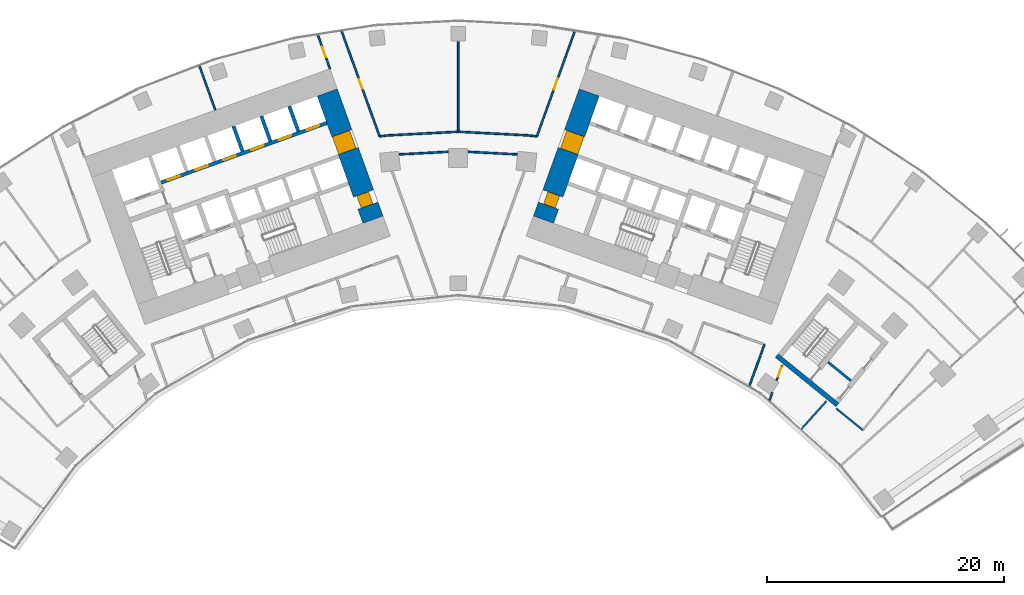
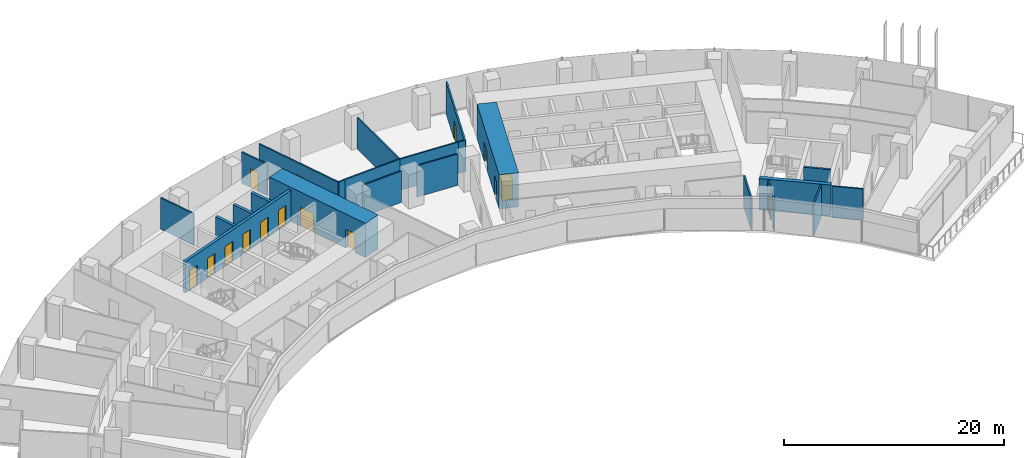
# One storey, part 16 of 21: 24 walls, 14 doors, 14 openings.
"""IFC4 building model written with IfcOpenShell, lengths in metres."""

from ifc_helpers import new_model, si_unit, direction, frame, frame_2d, origin, place, context, subcontext, project, spatial, rectangle, extrude, material, layer, layer_set, type_object, element, fill, save


model = new_model("IFC4")

# Units and contexts
model_context = context("Model", 3, precision=1e-05, world=origin(), true_north=direction((0.0, 1.0)))
body_context = subcontext(model_context, "Body", "Model", "MODEL_VIEW")
ifc_project = project(units=[si_unit("LENGTHUNIT", "METRE"), si_unit("AREAUNIT", "SQUARE_METRE"), si_unit("VOLUMEUNIT", "CUBIC_METRE"), si_unit("PLANEANGLEUNIT", "RADIAN"), si_unit("MASSUNIT", "GRAM", prefix="KILO")], contexts=[model_context])

# Site, building, storey
site_placement = place(None, origin())
site = spatial("IfcSite", under=ifc_project, at=site_placement, CompositionType="ELEMENT")
building_placement = place(site_placement, origin())
building = spatial("IfcBuilding", under=site, at=building_placement, Name="Stone Belt Terrace Tower", CompositionType="ELEMENT")
storey_placement = place(building_placement, frame((0.0, 0.0, 56.60009765625)))
storey = spatial("IfcBuildingStorey", under=building, at=storey_placement, Name="L13", CompositionType="ELEMENT", Elevation=56.60009765625)

# Wall, openings, doors
ifc_material_1 = material(Name="Concrete B80", Category="concrete")
ifc_layer_1 = layer(ifc_material_1, 1.800048828125)
ifc_layer_set_1 = layer_set([ifc_layer_1], Name="Core wall 1800 B80")
wall_type_1 = type_object("IfcWallType", Name="Core wall 1800 B80", PredefinedType="SHEAR", material=ifc_layer_set_1)
wall_1_placement = place(storey_placement, frame((-7.19091796875, 49.8076171875, 0.0), z_axis=(0.0, 0.0, 1.0), x_axis=(-0.338632255135, 0.940918804033, 0.0)))
wall_1 = element("IfcWall", 1, at=wall_1_placement, inside=storey, type_object=wall_type_1, Name="Core A wall end_b L13", PredefinedType="SHEAR", context=body_context, shape_type="SweptSolid", body=[
    extrude(rectangle(XDim=11.39990234375, YDim=1.800048828125, at=frame_2d((5.699951171875, 0.0))), origin(), (0.0, 0.0, 1.0), 3.7998046875),
])
opening_1_placement = place(wall_1_placement, frame((6.14990234375, 0.0, 0.0)))
opening_1 = element("IfcOpeningElement", 2, at=opening_1_placement, cuts=wall_1, Name="Opening L13-C02", PredefinedType="OPENING", context=body_context, shape_type="SweptSolid", body=[
    extrude(rectangle(XDim=1.60009765625, YDim=2.10009765625, at=frame_2d((0.800048828125, 1.050048828125))), frame((0.0, 0.909912109375, 0.0), z_axis=(0.0, -1.0, 0.0), x_axis=(1.0, 0.0, 0.0)), (0.0, 0.0, 1.0), 1.820068359375),
])
opening_2_placement = place(wall_1_placement, frame((1.25, 0.0, 0.0)))
opening_2 = element("IfcOpeningElement", 3, at=opening_2_placement, cuts=wall_1, Name="Opening L13-C08", PredefinedType="OPENING", context=body_context, shape_type="SweptSolid", body=[
    extrude(rectangle(XDim=1.10009765625, YDim=2.10009765625, at=frame_2d((0.550048828125, 1.050048828125))), frame((0.0, 0.909912109375, 0.0), z_axis=(0.0, -1.0, 0.0), x_axis=(1.0, 0.0, 0.0)), (0.0, 0.0, 1.0), 1.820068359375),
])
ifc_material_2 = material(Name="Timber door leaf", Category="wood")
door_type_1 = type_object("IfcDoorType", Name="Core room door 1100", OperationType="SINGLE_SWING_LEFT", PredefinedType="DOOR", material=ifc_material_2)
door_1_placement = place(opening_2_placement, origin())
door_1 = element("IfcDoor", 4, at=door_1_placement, inside=storey, type_object=door_type_1, Name="Door to Electrical riser room core A", OperationType="SINGLE_SWING_LEFT", OverallHeight=2.10009765625, OverallWidth=1.10009765625, PredefinedType="DOOR", context=body_context, shape_type="SweptSolid", body=[
    extrude(rectangle(XDim=1.10009765625, YDim=2.10009765625, at=frame_2d((0.550048828125, 1.050048828125))), frame((0.0, 0.60498046875, 0.0), z_axis=(0.0, -1.0, 0.0), x_axis=(1.0, 0.0, 0.0)), (0.0, 0.0, 1.0), 1.050048828125),
])
fill(opening_2, door_1)
ifc_material_3 = material(Name="Glazed aluminium door leaf", Category="aluminium")
door_type_2 = type_object("IfcDoorType", Name="Lift lobby entrance door 1600", OperationType="DOUBLE_DOOR_SINGLE_SWING", PredefinedType="DOOR", material=ifc_material_3)
door_2_placement = place(opening_1_placement, origin())
door_2 = element("IfcDoor", 5, at=door_2_placement, inside=storey, type_object=door_type_2, Name="Lift lobby entrance door core A", OperationType="DOUBLE_DOOR_SINGLE_SWING", OverallHeight=2.10009765625, OverallWidth=1.60009765625, PredefinedType="DOOR", context=body_context, shape_type="SweptSolid", body=[
    extrude(rectangle(XDim=1.60009765625, YDim=2.10009765625, at=frame_2d((0.800048828125, 1.050048828125))), frame((0.0, 0.85498046875, 0.0), z_axis=(0.0, -1.0, 0.0), x_axis=(1.0, 0.0, 0.0)), (0.0, 0.0, 1.0), 1.550048828125),
])
fill(opening_1, door_2)

wall_2_placement = place(storey_placement, frame((7.19091796875, 49.8076171875, 0.0), z_axis=(0.0, 0.0, 1.0), x_axis=(0.338632255135, 0.940918804033, 0.0)))
wall_2 = element("IfcWall", 6, at=wall_2_placement, inside=storey, type_object=wall_type_1, Name="Core B wall end_a L13", PredefinedType="SHEAR", context=body_context, shape_type="SweptSolid", body=[
    extrude(rectangle(XDim=11.39990234375, YDim=1.800048828125, at=frame_2d((5.699951171875, 0.0))), origin(), (0.0, 0.0, 1.0), 3.7998046875),
])
opening_3_placement = place(wall_2_placement, frame((6.14990234375, 0.0, 0.0)))
opening_3 = element("IfcOpeningElement", 7, at=opening_3_placement, cuts=wall_2, Name="Opening L13-C10", PredefinedType="OPENING", context=body_context, shape_type="SweptSolid", body=[
    extrude(rectangle(XDim=1.60009765625, YDim=2.10009765625, at=frame_2d((0.800048828125, 1.050048828125))), frame((0.0, 0.909912109375, 0.0), z_axis=(0.0, -1.0, 0.0), x_axis=(1.0, 0.0, 0.0)), (0.0, 0.0, 1.0), 1.820068359375),
])
opening_4_placement = place(wall_2_placement, frame((1.25, 0.0, 0.0)))
opening_4 = element("IfcOpeningElement", 8, at=opening_4_placement, cuts=wall_2, Name="Opening L13-C16", PredefinedType="OPENING", context=body_context, shape_type="SweptSolid", body=[
    extrude(rectangle(XDim=1.10009765625, YDim=2.10009765625, at=frame_2d((0.550048828125, 1.050048828125))), frame((0.0, 0.909912109375, 0.0), z_axis=(0.0, -1.0, 0.0), x_axis=(1.0, 0.0, 0.0)), (0.0, 0.0, 1.0), 1.820068359375),
])
door_3_placement = place(opening_4_placement, origin())
door_3 = element("IfcDoor", 9, at=door_3_placement, inside=storey, type_object=door_type_1, Name="Door to Electrical riser room core B", OperationType="SINGLE_SWING_RIGHT", OverallHeight=2.10009765625, OverallWidth=1.10009765625, PredefinedType="DOOR", context=body_context, shape_type="SweptSolid", body=[
    extrude(rectangle(XDim=1.10009765625, YDim=2.10009765625, at=frame_2d((0.550048828125, 1.050048828125))), frame((0.0, 0.44482421875, 0.0), z_axis=(0.0, -1.0, 0.0), x_axis=(1.0, 0.0, 0.0)), (0.0, 0.0, 1.0), 1.050048828125),
])
fill(opening_4, door_3)
door_4_placement = place(opening_3_placement, origin())
door_4 = element("IfcDoor", 10, at=door_4_placement, inside=storey, type_object=door_type_2, Name="Lift lobby entrance door core B", OperationType="DOUBLE_DOOR_SINGLE_SWING", OverallHeight=2.10009765625, OverallWidth=1.60009765625, PredefinedType="DOOR", context=body_context, shape_type="SweptSolid", body=[
    extrude(rectangle(XDim=1.60009765625, YDim=2.10009765625, at=frame_2d((0.800048828125, 1.050048828125))), frame((0.0, 0.69482421875, 0.0), z_axis=(0.0, -1.0, 0.0), x_axis=(1.0, 0.0, 0.0)), (0.0, 0.0, 1.0), 1.550048828125),
])
fill(opening_3, door_4)

ifc_layer_2 = layer(ifc_material_1, 0.300048828125)
ifc_layer_set_2 = layer_set([ifc_layer_2], Name="Lift shaft wall 300")
wall_type_2 = type_object("IfcWallType", Name="Lift shaft wall 300", PredefinedType="SHEAR", material=ifc_layer_set_2)
wall_3_placement = place(storey_placement, frame((-25.05810546875, 52.9423828125, 0.0), z_axis=(0.0, 0.0, 1.0), x_axis=(0.940918215764, 0.338633889685, 0.0)))
wall_3 = element("IfcWall", 11, at=wall_3_placement, inside=storey, type_object=wall_type_2, Name="Core A wall", PredefinedType="SHEAR", context=body_context, shape_type="SweptSolid", body=[
    extrude(rectangle(XDim=14.850341796875, YDim=0.300048828125, at=frame_2d((7.42529296875, 0.0))), origin(), (0.0, 0.0, 1.0), 3.47998046875),
])
opening_5_placement = place(wall_3_placement, frame((0.570068359375, 0.0, 0.0)))
opening_5 = element("IfcOpeningElement", 12, at=opening_5_placement, cuts=wall_3, Name="Opening L13-LD01", PredefinedType="OPENING", context=body_context, shape_type="SweptSolid", body=[
    extrude(rectangle(XDim=1.10009765625, YDim=2.199951171875, at=frame_2d((0.550048828125, 1.10009765625))), frame((0.0, 0.159912109375, 0.0), z_axis=(0.0, -1.0, 0.0), x_axis=(1.0, 0.0, 0.0)), (0.0, 0.0, 1.0), 0.320068359375),
])
opening_6_placement = place(wall_3_placement, frame((3.070068359375, 0.0, 0.0)))
opening_6 = element("IfcOpeningElement", 13, at=opening_6_placement, cuts=wall_3, Name="Opening L13-LD02", PredefinedType="OPENING", context=body_context, shape_type="SweptSolid", body=[
    extrude(rectangle(XDim=1.10009765625, YDim=2.199951171875, at=frame_2d((0.550048828125, 1.10009765625))), frame((0.0, 0.159912109375, 0.0), z_axis=(0.0, -1.0, 0.0), x_axis=(1.0, 0.0, 0.0)), (0.0, 0.0, 1.0), 0.320068359375),
])
opening_7_placement = place(wall_3_placement, frame((5.570068359375, 0.0, 0.0)))
opening_7 = element("IfcOpeningElement", 14, at=opening_7_placement, cuts=wall_3, Name="Opening L13-LD03", PredefinedType="OPENING", context=body_context, shape_type="SweptSolid", body=[
    extrude(rectangle(XDim=1.10009765625, YDim=2.199951171875, at=frame_2d((0.550048828125, 1.10009765625))), frame((0.0, 0.159912109375, 0.0), z_axis=(0.0, -1.0, 0.0), x_axis=(1.0, 0.0, 0.0)), (0.0, 0.0, 1.0), 0.320068359375),
])
opening_8_placement = place(wall_3_placement, frame((8.070068359375, 0.0, 0.0)))
opening_8 = element("IfcOpeningElement", 15, at=opening_8_placement, cuts=wall_3, Name="Opening L13-LD04", PredefinedType="OPENING", context=body_context, shape_type="SweptSolid", body=[
    extrude(rectangle(XDim=1.10009765625, YDim=2.199951171875, at=frame_2d((0.550048828125, 1.10009765625))), frame((0.0, 0.159912109375, 0.0), z_axis=(0.0, -1.0, 0.0), x_axis=(1.0, 0.0, 0.0)), (0.0, 0.0, 1.0), 0.320068359375),
])
opening_9_placement = place(wall_3_placement, frame((10.570068359375, 0.0, 0.0)))
opening_9 = element("IfcOpeningElement", 16, at=opening_9_placement, cuts=wall_3, Name="Opening L13-LD05", PredefinedType="OPENING", context=body_context, shape_type="SweptSolid", body=[
    extrude(rectangle(XDim=1.10009765625, YDim=2.199951171875, at=frame_2d((0.550048828125, 1.10009765625))), frame((0.0, 0.159912109375, 0.0), z_axis=(0.0, -1.0, 0.0), x_axis=(1.0, 0.0, 0.0)), (0.0, 0.0, 1.0), 0.320068359375),
])
opening_10_placement = place(wall_3_placement, frame((13.070068359375, 0.0, 0.0)))
opening_10 = element("IfcOpeningElement", 17, at=opening_10_placement, cuts=wall_3, Name="Opening L13-LD06", PredefinedType="OPENING", context=body_context, shape_type="SweptSolid", body=[
    extrude(rectangle(XDim=1.10009765625, YDim=2.199951171875, at=frame_2d((0.550048828125, 1.10009765625))), frame((0.0, 0.159912109375, 0.0), z_axis=(0.0, -1.0, 0.0), x_axis=(1.0, 0.0, 0.0)), (0.0, 0.0, 1.0), 0.320068359375),
])
ifc_material_4 = material(Name="Stainless steel door leaf", Category="steel")
door_type_3 = type_object("IfcDoorType", Name="Landing door 1100", OperationType="SLIDING_TO_LEFT", PredefinedType="DOOR", material=ifc_material_4)
door_5_placement = place(opening_5_placement, origin())
door_5 = element("IfcDoor", 18, at=door_5_placement, inside=storey, type_object=door_type_3, Name="Landing door LR1 core A", OperationType="SLIDING_TO_LEFT", OverallHeight=2.199951171875, OverallWidth=1.10009765625, PredefinedType="DOOR", context=body_context, shape_type="SweptSolid", body=[
    extrude(rectangle(XDim=1.10009765625, YDim=2.199951171875, at=frame_2d((0.550048828125, 1.10009765625))), frame((0.0, 0.02490234375, 0.0), z_axis=(0.0, -1.0, 0.0), x_axis=(1.0, 0.0, 0.0)), (0.0, 0.0, 1.0), 0.050048828125),
])
fill(opening_5, door_5)
door_6_placement = place(opening_6_placement, origin())
door_6 = element("IfcDoor", 19, at=door_6_placement, inside=storey, type_object=door_type_3, Name="Landing door LR2 core A", OperationType="SLIDING_TO_LEFT", OverallHeight=2.199951171875, OverallWidth=1.10009765625, PredefinedType="DOOR", context=body_context, shape_type="SweptSolid", body=[
    extrude(rectangle(XDim=1.10009765625, YDim=2.199951171875, at=frame_2d((0.550048828125, 1.10009765625))), frame((0.0, 0.02490234375, 0.0), z_axis=(0.0, -1.0, 0.0), x_axis=(1.0, 0.0, 0.0)), (0.0, 0.0, 1.0), 0.050048828125),
])
fill(opening_6, door_6)
door_7_placement = place(opening_7_placement, origin())
door_7 = element("IfcDoor", 20, at=door_7_placement, inside=storey, type_object=door_type_3, Name="Landing door LR3 core A", OperationType="SLIDING_TO_LEFT", OverallHeight=2.199951171875, OverallWidth=1.10009765625, PredefinedType="DOOR", context=body_context, shape_type="SweptSolid", body=[
    extrude(rectangle(XDim=1.10009765625, YDim=2.199951171875, at=frame_2d((0.550048828125, 1.10009765625))), frame((0.0, 0.02490234375, 0.0), z_axis=(0.0, -1.0, 0.0), x_axis=(1.0, 0.0, 0.0)), (0.0, 0.0, 1.0), 0.050048828125),
])
fill(opening_7, door_7)
door_8_placement = place(opening_8_placement, origin())
door_8 = element("IfcDoor", 21, at=door_8_placement, inside=storey, type_object=door_type_3, Name="Landing door LR4 core A", OperationType="SLIDING_TO_LEFT", OverallHeight=2.199951171875, OverallWidth=1.10009765625, PredefinedType="DOOR", context=body_context, shape_type="SweptSolid", body=[
    extrude(rectangle(XDim=1.10009765625, YDim=2.199951171875, at=frame_2d((0.550048828125, 1.10009765625))), frame((0.0, 0.02490234375, 0.0), z_axis=(0.0, -1.0, 0.0), x_axis=(1.0, 0.0, 0.0)), (0.0, 0.0, 1.0), 0.050048828125),
])
fill(opening_8, door_8)
door_9_placement = place(opening_9_placement, origin())
door_9 = element("IfcDoor", 22, at=door_9_placement, inside=storey, type_object=door_type_3, Name="Landing door LR5 core A", OperationType="SLIDING_TO_LEFT", OverallHeight=2.199951171875, OverallWidth=1.10009765625, PredefinedType="DOOR", context=body_context, shape_type="SweptSolid", body=[
    extrude(rectangle(XDim=1.10009765625, YDim=2.199951171875, at=frame_2d((0.550048828125, 1.10009765625))), frame((0.0, 0.02490234375, 0.0), z_axis=(0.0, -1.0, 0.0), x_axis=(1.0, 0.0, 0.0)), (0.0, 0.0, 1.0), 0.050048828125),
])
fill(opening_9, door_9)
door_10_placement = place(opening_10_placement, origin())
door_10 = element("IfcDoor", 23, at=door_10_placement, inside=storey, type_object=door_type_3, Name="Landing door LR6 core A", OperationType="SLIDING_TO_LEFT", OverallHeight=2.199951171875, OverallWidth=1.10009765625, PredefinedType="DOOR", context=body_context, shape_type="SweptSolid", body=[
    extrude(rectangle(XDim=1.10009765625, YDim=2.199951171875, at=frame_2d((0.550048828125, 1.10009765625))), frame((0.0, 0.02490234375, 0.0), z_axis=(0.0, -1.0, 0.0), x_axis=(1.0, 0.0, 0.0)), (0.0, 0.0, 1.0), 0.050048828125),
])
fill(opening_10, door_10)

# Walls
wall_4_placement = place(storey_placement, frame((-18.193115234375, 55.572509765625, 0.0), z_axis=(0.0, 0.0, 1.0), x_axis=(-0.338535034312, 0.940953787677, 0.0)))
element("IfcWall", 24, at=wall_4_placement, inside=storey, type_object=wall_type_2, Name="Core A wall", PredefinedType="SHEAR", context=body_context, shape_type="SweptSolid", body=[
    extrude(rectangle(XDim=2.25, YDim=0.300048828125, at=frame_2d((1.125, 0.0))), origin(), (0.0, 0.0, 1.0), 3.47998046875),
])
wall_5_placement = place(storey_placement, frame((-15.8408203125, 56.419189453125, 0.0), z_axis=(0.0, 0.0, 1.0), x_axis=(-0.338569601369, 0.940941350472, 0.0)))
element("IfcWall", 25, at=wall_5_placement, inside=storey, type_object=wall_type_2, Name="Core A wall", PredefinedType="SHEAR", context=body_context, shape_type="SweptSolid", body=[
    extrude(rectangle(XDim=2.249755859375, YDim=0.300048828125, at=frame_2d((1.125, 0.0))), origin(), (0.0, 0.0, 1.0), 3.47998046875),
])
wall_6_placement = place(storey_placement, frame((-13.48828125, 57.265625, 0.0), z_axis=(0.0, 0.0, 1.0), x_axis=(-0.338631098537, 0.940919220286, 0.0)))
element("IfcWall", 26, at=wall_6_placement, inside=storey, type_object=wall_type_2, Name="Core A wall", PredefinedType="SHEAR", context=body_context, shape_type="SweptSolid", body=[
    extrude(rectangle(XDim=2.250244140625, YDim=0.300048828125, at=frame_2d((1.125, 0.0))), origin(), (0.0, 0.0, 1.0), 3.47998046875),
])

# Wall, opening, door
ifc_material_5 = material(Name="Gypsum board partition")
ifc_layer_3 = layer(ifc_material_5, 0.14990234375)
ifc_layer_set_3 = layer_set([ifc_layer_3], Name="PARTITION 150 EI 60")
wall_type_3 = type_object("IfcWallType", Name="PARTITION 150 EI 60", PredefinedType="PARTITIONING", material=ifc_layer_set_3)
wall_7_placement = place(storey_placement, frame((-10.81396484375, 62.531982421875, 0.0), z_axis=(0.0, 0.0, 1.0), x_axis=(-0.338526810165, 0.940956746508, 0.0)))
wall_7 = element("IfcWall", 27, at=wall_7_placement, inside=storey, type_object=wall_type_3, Name="L13/wall/i008", PredefinedType="PARTITIONING", context=body_context, shape_type="SweptSolid", body=[
    extrude(rectangle(XDim=3.006591796875, YDim=0.14990234375, at=frame_2d((1.50341796875, 0.0))), origin(), (0.0, 0.0, 1.0), 3.47998046875),
])
opening_11_placement = place(wall_7_placement, frame((1.05322265625, 0.0, 0.0)))
opening_11 = element("IfcOpeningElement", 28, at=opening_11_placement, cuts=wall_7, Name="Opening D-A4-06", PredefinedType="OPENING", context=body_context, shape_type="SweptSolid", body=[
    extrude(rectangle(XDim=0.89990234375, YDim=2.10009765625, at=frame_2d((0.449951171875, 1.050048828125))), frame((0.0, 0.0849609375, 0.0), z_axis=(0.0, -1.0, 0.0), x_axis=(1.0, 0.0, 0.0)), (0.0, 0.0, 1.0), 0.169921875),
])
door_type_4 = type_object("IfcDoorType", Name="OFFICE DOOR 900 X 2100", OperationType="NOTDEFINED", PredefinedType="DOOR", material=ifc_material_2)
door_11_placement = place(opening_11_placement, origin())
door_11 = element("IfcDoor", 29, at=door_11_placement, inside=storey, type_object=door_type_4, Name="L13/door/i06", OperationType="SINGLE_SWING_RIGHT", OverallHeight=2.10009765625, OverallWidth=0.89990234375, PredefinedType="DOOR", context=body_context, shape_type="SweptSolid", body=[
    extrude(rectangle(XDim=0.89990234375, YDim=2.10009765625, at=frame_2d((0.449951171875, 1.050048828125))), frame((0.0, 0.02490234375, 0.0), z_axis=(0.0, -1.0, 0.0), x_axis=(1.0, 0.0, 0.0)), (0.0, 0.0, 1.0), 0.050048828125),
])
fill(opening_11, door_11)

wall_8_placement = place(storey_placement, frame((-9.8212890625, 65.68115234375, 0.0), z_axis=(0.0, 0.0, 1.0), x_axis=(0.338561511742, -0.940944261243, 0.0)))
wall_8 = element("IfcWall", 30, at=wall_8_placement, inside=storey, type_object=wall_type_3, Name="L13/wall/i010", PredefinedType="PARTITIONING", context=body_context, shape_type="SweptSolid", body=[
    extrude(rectangle(XDim=9.4140625, YDim=0.14990234375, at=frame_2d((4.70703125, 0.0))), origin(), (0.0, 0.0, 1.0), 3.47998046875),
])
opening_12_placement = place(wall_8_placement, frame((4.30712890625, 0.0, 0.0)))
opening_12 = element("IfcOpeningElement", 31, at=opening_12_placement, cuts=wall_8, Name="Opening D-A4-29", PredefinedType="OPENING", context=body_context, shape_type="SweptSolid", body=[
    extrude(rectangle(XDim=0.800048828125, YDim=2.10009765625, at=frame_2d((0.39990234375, 1.050048828125))), frame((0.0, 0.0849609375, 0.0), z_axis=(0.0, -1.0, 0.0), x_axis=(1.0, 0.0, 0.0)), (0.0, 0.0, 1.0), 0.169921875),
])
door_type_5 = type_object("IfcDoorType", Name="STORE DOOR 800 X 2100", OperationType="NOTDEFINED", PredefinedType="DOOR", material=ifc_material_2)
door_12_placement = place(opening_12_placement, origin())
door_12 = element("IfcDoor", 32, at=door_12_placement, inside=storey, type_object=door_type_5, Name="L13/door/i29", OperationType="SINGLE_SWING_RIGHT", OverallHeight=2.10009765625, OverallWidth=0.800048828125, PredefinedType="DOOR", context=body_context, shape_type="SweptSolid", body=[
    extrude(rectangle(XDim=0.800048828125, YDim=2.10009765625, at=frame_2d((0.39990234375, 1.050048828125))), frame((0.0, 0.02490234375, 0.0), z_axis=(0.0, -1.0, 0.0), x_axis=(1.0, 0.0, 0.0)), (0.0, 0.0, 1.0), 0.050048828125),
])
fill(opening_12, door_12)

# Wall
wall_9_placement = place(storey_placement, frame((-21.827880859375, 62.755126953125, 0.0), z_axis=(0.0, 0.0, 1.0), x_axis=(0.338675570536, -0.940903213897, 0.0)))
element("IfcWall", 33, at=wall_9_placement, inside=storey, type_object=wall_type_3, Name="L13/wall/i018", PredefinedType="PARTITIONING", context=body_context, shape_type="SweptSolid", body=[
    extrude(rectangle(XDim=3.938720703125, YDim=0.14990234375, at=frame_2d((1.96923828125, 0.0))), origin(), (0.0, 0.0, 1.0), 3.47998046875),
])

# Wall, opening, door
wall_10_placement = place(storey_placement, frame((6.634033203125, 56.822998046875, 0.0), z_axis=(0.0, 0.0, 1.0), x_axis=(0.338561511742, 0.940944261243, 0.0)))
wall_10 = element("IfcWall", 34, at=wall_10_placement, inside=storey, type_object=wall_type_3, Name="L13/wall/i022", PredefinedType="PARTITIONING", context=body_context, shape_type="SweptSolid", body=[
    extrude(rectangle(XDim=9.4140625, YDim=0.14990234375, at=frame_2d((4.70703125, 0.0))), origin(), (0.0, 0.0, 1.0), 3.47998046875),
])
opening_13_placement = place(wall_10_placement, frame((4.20703125, 0.0, 0.0)))
opening_13 = element("IfcOpeningElement", 35, at=opening_13_placement, cuts=wall_10, Name="Opening D-A4-30", PredefinedType="OPENING", context=body_context, shape_type="SweptSolid", body=[
    extrude(rectangle(XDim=1.0, YDim=2.10009765625, at=frame_2d((0.5, 1.050048828125))), frame((0.0, 0.0849609375, 0.0), z_axis=(0.0, -1.0, 0.0), x_axis=(1.0, 0.0, 0.0)), (0.0, 0.0, 1.0), 0.169921875),
])
ifc_material_6 = material(Name="Timber fire door leaf", Category="wood")
door_type_6 = type_object("IfcDoorType", Name="TENANCY ENTRANCE DOOR 1000 X 2100", OperationType="NOTDEFINED", PredefinedType="DOOR", material=ifc_material_6)
door_13_placement = place(opening_13_placement, origin())
door_13 = element("IfcDoor", 36, at=door_13_placement, inside=storey, type_object=door_type_6, Name="L13/door/i30", OperationType="SINGLE_SWING_RIGHT", OverallHeight=2.10009765625, OverallWidth=1.0, PredefinedType="DOOR", context=body_context, shape_type="SweptSolid", body=[
    extrude(rectangle(XDim=1.0, YDim=2.10009765625, at=frame_2d((0.5, 1.050048828125))), frame((0.0, 0.02490234375, 0.0), z_axis=(0.0, -1.0, 0.0), x_axis=(1.0, 0.0, 0.0)), (0.0, 0.0, 1.0), 0.050048828125),
])
fill(opening_13, door_13)

# Wall
wall_11_placement = place(storey_placement, frame((24.56494140625, 35.771728515625, 0.0), z_axis=(0.0, 0.0, 1.0), x_axis=(0.338392582605, 0.941005026574, 0.0)))
element("IfcWall", 37, at=wall_11_placement, inside=storey, type_object=wall_type_3, Name="L13/wall/i023", PredefinedType="PARTITIONING", context=body_context, shape_type="SweptSolid", body=[
    extrude(rectangle(XDim=3.729248046875, YDim=0.14990234375, at=frame_2d((1.86474609375, 0.0))), origin(), (0.0, 0.0, 1.0), 3.47998046875),
])

# Wall, opening, door
wall_12_placement = place(storey_placement, frame((27.320068359375, 37.52099609375, 0.0), z_axis=(0.0, 0.0, 1.0), x_axis=(-0.339003916963, -0.940784961765, 0.0)))
wall_12 = element("IfcWall", 38, at=wall_12_placement, inside=storey, type_object=wall_type_3, Name="L13/wall/i026", PredefinedType="PARTITIONING", context=body_context, shape_type="SweptSolid", body=[
    extrude(rectangle(XDim=1.36767578125, YDim=0.14990234375, at=frame_2d((0.683837890625, 0.0))), origin(), (0.0, 0.0, 1.0), 3.47998046875),
])
opening_14_placement = place(wall_12_placement, frame((0.126220703125, 0.0, 0.0)))
opening_14 = element("IfcOpeningElement", 39, at=opening_14_placement, cuts=wall_12, Name="Opening D-A4-22", PredefinedType="OPENING", context=body_context, shape_type="SweptSolid", body=[
    extrude(rectangle(XDim=0.89990234375, YDim=2.10009765625, at=frame_2d((0.449951171875, 1.050048828125))), frame((0.0, 0.0849609375, 0.0), z_axis=(0.0, -1.0, 0.0), x_axis=(1.0, 0.0, 0.0)), (0.0, 0.0, 1.0), 0.169921875),
])
door_type_7 = type_object("IfcDoorType", Name="TENANCY ENTRANCE DOOR 900 X 2100", OperationType="NOTDEFINED", PredefinedType="DOOR", material=ifc_material_6)
door_14_placement = place(opening_14_placement, origin())
door_14 = element("IfcDoor", 40, at=door_14_placement, inside=storey, type_object=door_type_7, Name="L13/door/i22", OperationType="SINGLE_SWING_LEFT", OverallHeight=2.10009765625, OverallWidth=0.89990234375, PredefinedType="DOOR", context=body_context, shape_type="SweptSolid", body=[
    extrude(rectangle(XDim=0.89990234375, YDim=2.10009765625, at=frame_2d((0.449951171875, 1.050048828125))), frame((0.0, 0.02490234375, 0.0), z_axis=(0.0, -1.0, 0.0), x_axis=(1.0, 0.0, 0.0)), (0.0, 0.0, 1.0), 0.050048828125),
])
fill(opening_14, door_14)

# Walls
wall_13_placement = place(storey_placement, frame((26.490478515625, 35.21923828125, 0.0), z_axis=(0.0, 0.0, 1.0), x_axis=(-0.338920531705, -0.940815004764, 0.0)))
element("IfcWall", 41, at=wall_13_placement, inside=storey, type_object=wall_type_3, Name="L13/wall/i027", PredefinedType="PARTITIONING", context=body_context, shape_type="SweptSolid", body=[
    extrude(rectangle(XDim=0.68798828125, YDim=0.14990234375, at=frame_2d((0.343994140625, 0.0))), origin(), (0.0, 0.0, 1.0), 3.47998046875),
])
wall_14_placement = place(storey_placement, frame((34.133056640625, 32.055908203125, 0.0), z_axis=(0.0, 0.0, 1.0), x_axis=(-0.776369956068, 0.630277471686, 0.0)))
element("IfcWall", 42, at=wall_14_placement, inside=storey, type_object=wall_type_3, Name="L13/wall/i068", PredefinedType="PARTITIONING", context=body_context, shape_type="SweptSolid", body=[
    extrude(rectangle(XDim=2.8876953125, YDim=0.14990234375, at=frame_2d((1.44384765625, 0.0))), origin(), (0.0, 0.0, 1.0), 3.47998046875),
])
wall_15_placement = place(storey_placement, frame((31.054931640625, 34.489990234375, 0.0), z_axis=(0.0, 0.0, 1.0), x_axis=(-0.669118910745, -0.743155356089, 0.0)))
element("IfcWall", 43, at=wall_15_placement, inside=storey, type_object=wall_type_3, Name="L13/wall/i069", PredefinedType="PARTITIONING", context=body_context, shape_type="SweptSolid", body=[
    extrude(rectangle(XDim=3.149169921875, YDim=0.14990234375, at=frame_2d((1.57470703125, 0.0))), origin(), (0.0, 0.0, 1.0), 3.47998046875),
])
for number, where, z_axis, x_axis, name in (
    (44, (4.979248046875, 55.314453125, 0.0), (0.0, 0.0, 1.0), (-0.998634659291, 0.052238082501, 0.0), "L13/wall/i077"),
    (45, (-0.830078125, 55.531494140625, 0.0), (0.0, 0.0, 1.0), (-0.998634659291, -0.052238082501, 0.0), "L13/wall/i078"),
):
    element("IfcWall", number, at=place(storey_placement, frame(where, z_axis=z_axis, x_axis=x_axis)), inside=storey, type_object=wall_type_3, Name=name, PredefinedType="PARTITIONING", context=body_context, shape_type="SweptSolid", body=[
        extrude(rectangle(XDim=4.15478515625, YDim=0.14990234375, at=frame_2d((2.077392578125, 0.0))), origin(), (0.0, 0.0, 1.0), 3.47998046875),
    ])
wall_16_placement = place(storey_placement, frame((-6.635986328125, 56.8291015625, 0.0), z_axis=(0.0, 0.0, 1.0), x_axis=(0.992042541351, 0.125903122083, 0.0)))
element("IfcWall", 46, at=wall_16_placement, inside=storey, type_object=wall_type_3, Name="L13/wall/i079", PredefinedType="PARTITIONING", context=body_context, shape_type="SweptSolid", body=[
    extrude(rectangle(XDim=0.6591796875, YDim=0.14990234375, at=frame_2d((0.32958984375, 0.0))), origin(), (0.0, 0.0, 1.0), 3.47998046875),
])
for number, where, z_axis, x_axis, name in (
    (47, (-5.98193359375, 56.912109375, 0.0), (0.0, 0.0, 1.0), (0.998633994648, 0.052250786921, 0.0), "L13/wall/i080"),
    (48, (0.0, 57.22509765625, 0.0), (0.0, 0.0, 1.0), (0.998633994648, -0.052250786921, 0.0), "L13/wall/i081"),
):
    element("IfcWall", number, at=place(storey_placement, frame(where, z_axis=z_axis, x_axis=x_axis)), inside=storey, type_object=wall_type_3, Name=name, PredefinedType="PARTITIONING", context=body_context, shape_type="SweptSolid", body=[
        extrude(rectangle(XDim=5.990234375, YDim=0.14990234375, at=frame_2d((2.9951171875, 0.0))), origin(), (0.0, 0.0, 1.0), 3.47998046875),
    ])
wall_17_placement = place(storey_placement, frame((5.98193359375, 56.912109375, 0.0), z_axis=(0.0, 0.0, 1.0), x_axis=(0.992042541351, -0.125903122083, 0.0)))
element("IfcWall", 49, at=wall_17_placement, inside=storey, type_object=wall_type_3, Name="L13/wall/i082", PredefinedType="PARTITIONING", context=body_context, shape_type="SweptSolid", body=[
    extrude(rectangle(XDim=0.6591796875, YDim=0.14990234375, at=frame_2d((0.32958984375, 0.0))), origin(), (0.0, 0.0, 1.0), 3.47998046875),
])
wall_18_placement = place(storey_placement, frame((0.0, 64.833984375, 0.0), z_axis=(0.0, 0.0, 1.0), x_axis=(0.0, -1.0, 0.0)))
element("IfcWall", 50, at=wall_18_placement, inside=storey, type_object=wall_type_3, Name="L13/wall/i083", PredefinedType="PARTITIONING", context=body_context, shape_type="SweptSolid", body=[
    extrude(rectangle(XDim=7.60888671875, YDim=0.14990234375, at=frame_2d((3.804443359375, 0.0))), origin(), (0.0, 0.0, 1.0), 3.47998046875),
])
ifc_material_7 = material(Name="Concrete masonry block", Category="masonry")
ifc_layer_4 = layer(ifc_material_7, 0.199951171875)
ifc_layer_set_4 = layer_set([ifc_layer_4], Name="Rated lobby wall 200")
wall_type_4 = type_object("IfcWallType", Name="Rated lobby wall 200", PredefinedType="PARTITIONING", material=ifc_layer_set_4)
wall_19_placement = place(storey_placement, frame((31.190673828125, 37.79296875, 0.0), z_axis=(0.0, 0.0, 1.0), x_axis=(0.776370830301, -0.630276394813, 0.0)))
element("IfcWall", 51, at=wall_19_placement, inside=storey, type_object=wall_type_4, Name="Exit stair ST3B wall", PredefinedType="PARTITIONING", context=body_context, shape_type="SweptSolid", body=[
    extrude(rectangle(XDim=2.5, YDim=0.199951171875, at=frame_2d((1.25, 0.0))), origin(), (0.0, 0.0, 1.0), 3.47998046875),
])
ifc_layer_5 = layer(ifc_material_1, 0.39990234375)
ifc_layer_set_5 = layer_set([ifc_layer_5], Name="Stair enclosure wall 400")
wall_type_5 = type_object("IfcWallType", Name="Stair enclosure wall 400", PredefinedType="SHEAR", material=ifc_layer_set_5)
wall_20_placement = place(storey_placement, frame((26.868408203125, 38.3388671875, 0.0), z_axis=(0.0, 0.0, 1.0), x_axis=(0.776428452498, -0.630205409491, 0.0)))
element("IfcWall", 52, at=wall_20_placement, inside=storey, type_object=wall_type_5, Name="Exit stair ST3B wall", PredefinedType="SHEAR", context=body_context, shape_type="SweptSolid", body=[
    extrude(rectangle(XDim=6.60009765625, YDim=0.39990234375, at=frame_2d((3.300048828125, 0.0))), origin(), (0.0, 0.0, 1.0), 3.47998046875),
])

save(model, "model.ifc")
